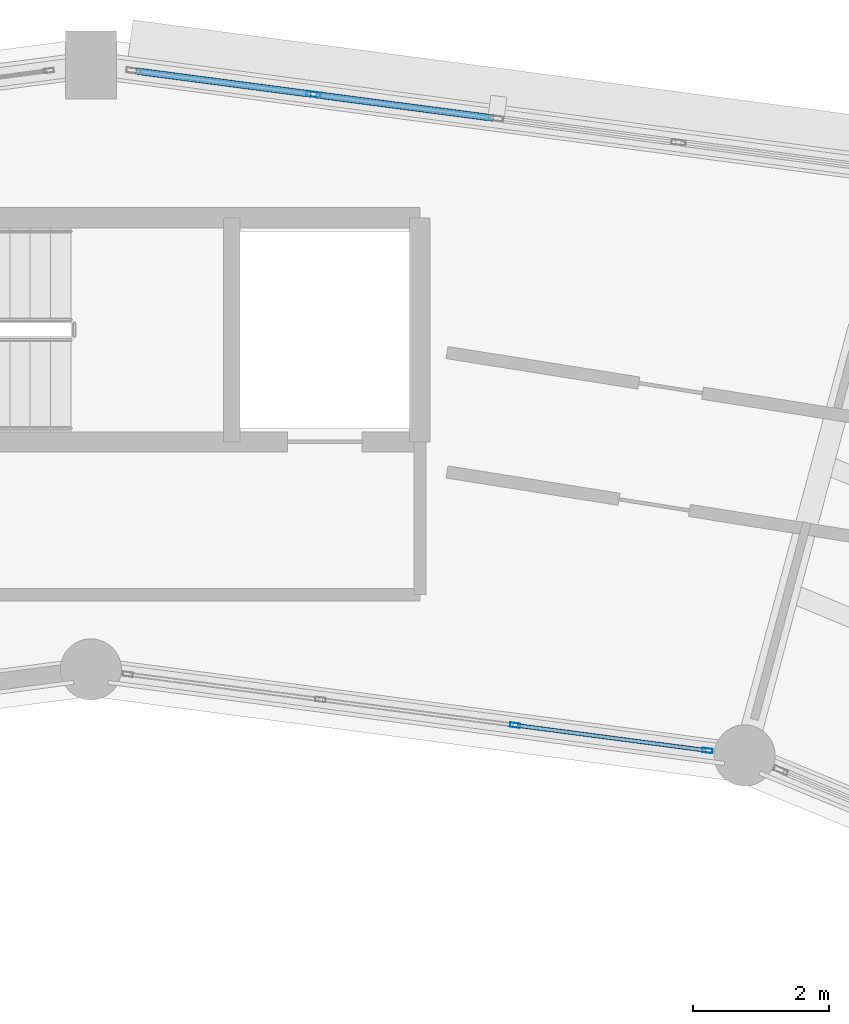
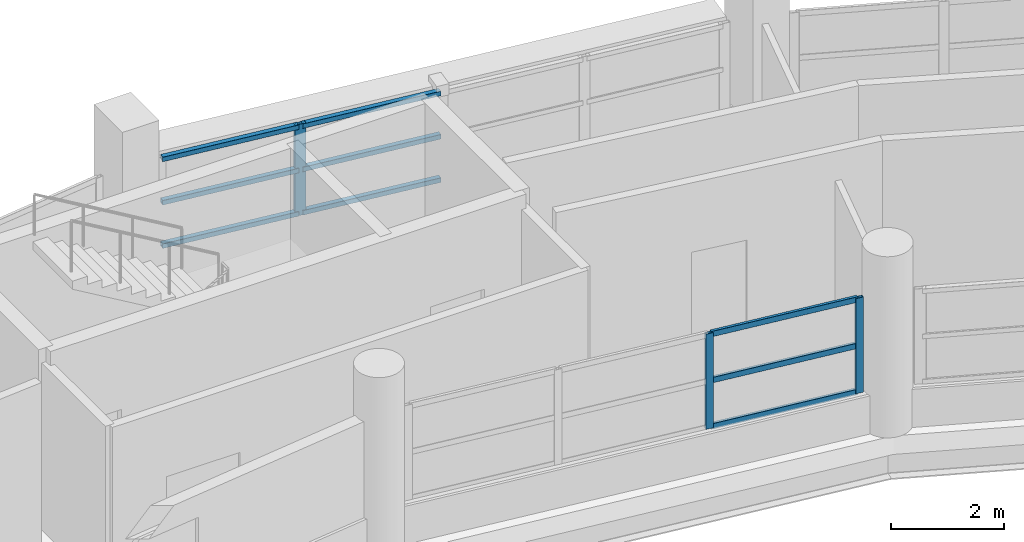
# One storey, part 76 of 108: 12 members, 2 elements without a shape of their own.
"""IFC4 building model written with IfcOpenShell, lengths in metres."""

from ifc_helpers import new_model, si_unit, direction, frame, origin, origin_2d, place, context, subcontext, project, spatial, hollow_rectangle, extrude, material, layer, layer_set, material_profile, profile_set, type_object, element, aggregate, save


model = new_model("IFC4")

# Units and contexts
model_context = context("Model", 3, precision=1e-05, world=origin(), true_north=direction((0.0, 1.0)))
body_context = subcontext(model_context, "Body", "Model", "MODEL_VIEW")
ifc_project = project(units=[si_unit("LENGTHUNIT", "METRE"), si_unit("AREAUNIT", "SQUARE_METRE"), si_unit("VOLUMEUNIT", "CUBIC_METRE"), si_unit("PLANEANGLEUNIT", "RADIAN"), si_unit("MASSUNIT", "GRAM", prefix="KILO")], contexts=[model_context])

# Site, building, storey
site_placement = place(None, origin())
site = spatial("IfcSite", under=ifc_project, at=site_placement, CompositionType="ELEMENT")
building_placement = place(site_placement, origin())
building = spatial("IfcBuilding", under=site, at=building_placement, Name="Vespera Passage Community Centre", CompositionType="ELEMENT")
storey_placement = place(building_placement, frame((0.0, 0.0, 12.60009765625)))
storey = spatial("IfcBuildingStorey", under=building, at=storey_placement, Name="L03", CompositionType="ELEMENT", Elevation=12.60009765625)

# Curtain wall, members
ifc_material_1 = material(Name="Anodized aluminium 6063-T6", Category="aluminium")
ifc_layer_1 = layer(ifc_material_1, 0.159912109375)
ifc_layer_set_1 = layer_set([ifc_layer_1], Name="Anodized aluminium 6063-T6")
curtain_wall_type_1 = type_object("IfcCurtainWallType", Name="CW-42E", PredefinedType="NOTDEFINED", material=ifc_layer_set_1)
curtain_wall_1_placement = place(storey_placement, origin())
curtain_wall_1 = element("IfcCurtainWall", 1, at=curtain_wall_1_placement, inside=storey, type_object=curtain_wall_type_1, Name="V4 L03 Inner Court Curtain Wall 5", PredefinedType="NOTDEFINED")
ifc_material_2 = material(Name="Anodized aluminium 6063-T6", Category="aluminium")
ifc_material_profile_1 = material_profile(ifc_material_2, hollow_rectangle(XDim=0.06494140625, YDim=0.14990234375, WallThickness=0.00390625, InnerFilletRadius=0.001953125, OuterFilletRadius=0.00390625, at=origin_2d()), Name="ALU150X65X4")
ifc_profile_set_1 = profile_set([ifc_material_profile_1], Name="Anodized aluminium 6063-T6")
member_type_1 = type_object("IfcMemberType", Name="MB-CWM-150E", PredefinedType="MULLION", material=ifc_profile_set_1)
member_1_placement = place(storey_placement, frame((87.082763671875, 101.504150390625, 0.81982421875), z_axis=(0.0, 0.0, 1.0), x_axis=(-0.1305221941, -0.991445387728, 0.0)))
member_1 = element("IfcMember", 2, at=member_1_placement, type_object=member_type_1, Name="CW-42E mullion 1", PredefinedType="MULLION", context=body_context, shape_type="SweptSolid", body=[
    extrude(hollow_rectangle(XDim=0.06494140625, YDim=0.14990234375, WallThickness=0.00390625, InnerFilletRadius=0.001953125, OuterFilletRadius=0.00390625, at=origin_2d()), origin(), (0.0, 0.0, 1.0), 2.049560546875),
])
member_2_placement = place(storey_placement, frame((84.24755859375, 101.87744140625, 0.81982421875), z_axis=(0.0, 0.0, 1.0), x_axis=(-0.1305221941, -0.991445387728, 0.0)))
member_2 = element("IfcMember", 3, at=member_2_placement, type_object=member_type_1, Name="CW-42E mullion 2", PredefinedType="MULLION", context=body_context, shape_type="SweptSolid", body=[
    extrude(hollow_rectangle(XDim=0.06494140625, YDim=0.14990234375, WallThickness=0.00390625, InnerFilletRadius=0.001953125, OuterFilletRadius=0.00390625, at=origin_2d()), origin(), (0.0, 0.0, 1.0), 2.049560546875),
])

ifc_material_3 = material(Name="Anodized aluminium 6063-T6", Category="aluminium")
ifc_layer_2 = layer(ifc_material_3, 0.159912109375)
ifc_layer_set_2 = layer_set([ifc_layer_2], Name="Anodized aluminium 6063-T6")
curtain_wall_type_2 = type_object("IfcCurtainWallType", Name="CW-41E", PredefinedType="NOTDEFINED", material=ifc_layer_set_2)
curtain_wall_2_placement = place(storey_placement, origin())
curtain_wall_2 = element("IfcCurtainWall", 4, at=curtain_wall_2_placement, inside=storey, type_object=curtain_wall_type_2, Name="V4 L03 Outer Ribbon Curtain Wall 5", PredefinedType="NOTDEFINED")
ifc_material_4 = material(Name="Anodized aluminium 6063-T6", Category="aluminium")
ifc_material_profile_2 = material_profile(ifc_material_4, hollow_rectangle(XDim=0.074951171875, YDim=0.2099609375, WallThickness=0.0048828125, InnerFilletRadius=0.00244140625, OuterFilletRadius=0.0048828125, at=origin_2d()), Name="ALU210X75X5")
ifc_profile_set_2 = profile_set([ifc_material_profile_2], Name="Anodized aluminium 6063-T6")
member_type_2 = type_object("IfcMemberType", Name="MB-CWM-210E", PredefinedType="MULLION", material=ifc_profile_set_2)
member_3_placement = place(storey_placement, frame((81.277099609375, 111.168701171875, 0.81982421875), z_axis=(0.0, 0.0, 1.0), x_axis=(0.130530818696, 0.991444252276, 0.0)))
member_3 = element("IfcMember", 5, at=member_3_placement, type_object=member_type_2, Name="CW-41E mullion 2", PredefinedType="MULLION", context=body_context, shape_type="SweptSolid", body=[
    extrude(hollow_rectangle(XDim=0.074951171875, YDim=0.2099609375, WallThickness=0.0048828125, InnerFilletRadius=0.00244140625, OuterFilletRadius=0.0048828125, at=origin_2d()), origin(), (0.0, 0.0, 1.0), 1.965576171875),
])
ifc_material_5 = material(Name="Anodized aluminium 6063-T6", Category="aluminium")
ifc_material_profile_3 = material_profile(ifc_material_5, hollow_rectangle(XDim=0.10009765625, YDim=0.10009765625, WallThickness=0.00390625, InnerFilletRadius=0.001953125, OuterFilletRadius=0.00390625, at=origin_2d()), Name="ALU100X100X4")
ifc_profile_set_3 = profile_set([ifc_material_profile_3], Name="Anodized aluminium 6063-T6")
member_type_3 = type_object("IfcMemberType", Name="MB-CWT-100E", PredefinedType="USERDEFINED", material=ifc_profile_set_3)
member_4_placement = place(storey_placement, frame((78.66259765625, 111.5126953125, 0.869873046875), z_axis=(0.991453656162, -0.13045937177, 0.0), x_axis=(0.13045937177, 0.991453656162, 0.0)))
member_4 = element("IfcMember", 6, at=member_4_placement, type_object=member_type_3, Name="CW-41E transom 1.1", ObjectType="TRANSOM", PredefinedType="USERDEFINED", context=body_context, shape_type="SweptSolid", body=[
    extrude(hollow_rectangle(XDim=0.10009765625, YDim=0.10009765625, WallThickness=0.00390625, InnerFilletRadius=0.001953125, OuterFilletRadius=0.00390625, at=origin_2d()), origin(), (0.0, 0.0, 1.0), 2.599365234375),
])
member_5_placement = place(storey_placement, frame((78.66259765625, 111.5126953125, 1.802734375), z_axis=(0.991453656162, -0.13045937177, 0.0), x_axis=(0.13045937177, 0.991453656162, 0.0)))
member_5 = element("IfcMember", 7, at=member_5_placement, type_object=member_type_3, Name="CW-41E transom 1.2", ObjectType="TRANSOM", PredefinedType="USERDEFINED", context=body_context, shape_type="SweptSolid", body=[
    extrude(hollow_rectangle(XDim=0.10009765625, YDim=0.10009765625, WallThickness=0.00390625, InnerFilletRadius=0.001953125, OuterFilletRadius=0.00390625, at=origin_2d()), origin(), (0.0, 0.0, 1.0), 2.599365234375),
])
member_6_placement = place(storey_placement, frame((78.66259765625, 111.5126953125, 2.735595703125), z_axis=(0.991453656162, -0.13045937177, 0.0), x_axis=(0.13045937177, 0.991453656162, 0.0)))
member_6 = element("IfcMember", 8, at=member_6_placement, type_object=member_type_3, Name="CW-41E transom 1.3", ObjectType="TRANSOM", PredefinedType="USERDEFINED", context=body_context, shape_type="SweptSolid", body=[
    extrude(hollow_rectangle(XDim=0.10009765625, YDim=0.10009765625, WallThickness=0.00390625, InnerFilletRadius=0.001953125, OuterFilletRadius=0.00390625, at=origin_2d()), origin(), (0.0, 0.0, 1.0), 2.599365234375),
])
member_7_placement = place(storey_placement, frame((81.314208984375, 111.163818359375, 0.869873046875), z_axis=(0.991443263023, -0.130538332324, 0.0), x_axis=(0.130538332324, 0.991443263023, 0.0)))
member_7 = element("IfcMember", 9, at=member_7_placement, type_object=member_type_3, Name="CW-41E transom 2.1", ObjectType="TRANSOM", PredefinedType="USERDEFINED", context=body_context, shape_type="SweptSolid", body=[
    extrude(hollow_rectangle(XDim=0.10009765625, YDim=0.10009765625, WallThickness=0.00390625, InnerFilletRadius=0.001953125, OuterFilletRadius=0.00390625, at=origin_2d()), origin(), (0.0, 0.0, 1.0), 2.636962890625),
])
member_8_placement = place(storey_placement, frame((81.314208984375, 111.163818359375, 1.802734375), z_axis=(0.991443263023, -0.130538332324, 0.0), x_axis=(0.130538332324, 0.991443263023, 0.0)))
member_8 = element("IfcMember", 10, at=member_8_placement, type_object=member_type_3, Name="CW-41E transom 2.2", ObjectType="TRANSOM", PredefinedType="USERDEFINED", context=body_context, shape_type="SweptSolid", body=[
    extrude(hollow_rectangle(XDim=0.10009765625, YDim=0.10009765625, WallThickness=0.00390625, InnerFilletRadius=0.001953125, OuterFilletRadius=0.00390625, at=origin_2d()), origin(), (0.0, 0.0, 1.0), 2.636962890625),
])
member_9_placement = place(storey_placement, frame((81.314208984375, 111.163818359375, 2.735595703125), z_axis=(0.991443263023, -0.130538332324, 0.0), x_axis=(0.130538332324, 0.991443263023, 0.0)))
member_9 = element("IfcMember", 11, at=member_9_placement, type_object=member_type_3, Name="CW-41E transom 2.3", ObjectType="TRANSOM", PredefinedType="USERDEFINED", context=body_context, shape_type="SweptSolid", body=[
    extrude(hollow_rectangle(XDim=0.10009765625, YDim=0.10009765625, WallThickness=0.00390625, InnerFilletRadius=0.001953125, OuterFilletRadius=0.00390625, at=origin_2d()), origin(), (0.0, 0.0, 1.0), 2.636962890625),
])
aggregate(curtain_wall_2, [member_3, member_4, member_5, member_6, member_7, member_8, member_9])

# Member
ifc_material_6 = material(Name="Anodized aluminium 6063-T6", Category="aluminium")
ifc_material_profile_4 = material_profile(ifc_material_6, hollow_rectangle(XDim=0.06005859375, YDim=0.1201171875, WallThickness=0.00390625, InnerFilletRadius=0.001953125, OuterFilletRadius=0.00390625, at=origin_2d()), Name="ALU120X60X4")
ifc_profile_set_4 = profile_set([ifc_material_profile_4], Name="Anodized aluminium 6063-T6")
member_type_4 = type_object("IfcMemberType", Name="MB-CWT-120E", PredefinedType="USERDEFINED", material=ifc_profile_set_4)
member_10_placement = place(storey_placement, frame((87.050537109375, 101.508544921875, 0.849853515625), z_axis=(-0.991446265366, 0.130515527399, 0.0), x_axis=(-0.130515527399, -0.991446265366, 0.0)))
member_10 = element("IfcMember", 12, at=member_10_placement, type_object=member_type_4, Name="CW-42E transom 1.1", ObjectType="TRANSOM", PredefinedType="USERDEFINED", context=body_context, shape_type="SweptSolid", body=[
    extrude(hollow_rectangle(XDim=0.06005859375, YDim=0.1201171875, WallThickness=0.00390625, InnerFilletRadius=0.001953125, OuterFilletRadius=0.00390625, at=origin_2d()), origin(), (0.0, 0.0, 1.0), 2.794677734375),
])

member_11_placement = place(storey_placement, frame((87.050537109375, 101.508544921875, 1.844482421875), z_axis=(-0.991446265366, 0.130515527399, 0.0), x_axis=(-0.130515527399, -0.991446265366, 0.0)))
member_11 = element("IfcMember", 13, at=member_11_placement, type_object=member_type_4, Name="CW-42E transom 1.2", ObjectType="TRANSOM", PredefinedType="USERDEFINED", context=body_context, shape_type="SweptSolid", body=[
    extrude(hollow_rectangle(XDim=0.06005859375, YDim=0.1201171875, WallThickness=0.00390625, InnerFilletRadius=0.001953125, OuterFilletRadius=0.00390625, at=origin_2d()), origin(), (0.0, 0.0, 1.0), 2.794677734375),
])

member_12_placement = place(storey_placement, frame((87.050537109375, 101.508544921875, 2.83935546875), z_axis=(-0.991446265366, 0.130515527399, 0.0), x_axis=(-0.130515527399, -0.991446265366, 0.0)))
member_12 = element("IfcMember", 14, at=member_12_placement, type_object=member_type_4, Name="CW-42E transom 1.3", ObjectType="TRANSOM", PredefinedType="USERDEFINED", context=body_context, shape_type="SweptSolid", body=[
    extrude(hollow_rectangle(XDim=0.06005859375, YDim=0.1201171875, WallThickness=0.00390625, InnerFilletRadius=0.001953125, OuterFilletRadius=0.00390625, at=origin_2d()), origin(), (0.0, 0.0, 1.0), 2.794677734375),
])

aggregate(curtain_wall_1, [member_1, member_2, member_10, member_11, member_12])

save(model, "model.ifc")
